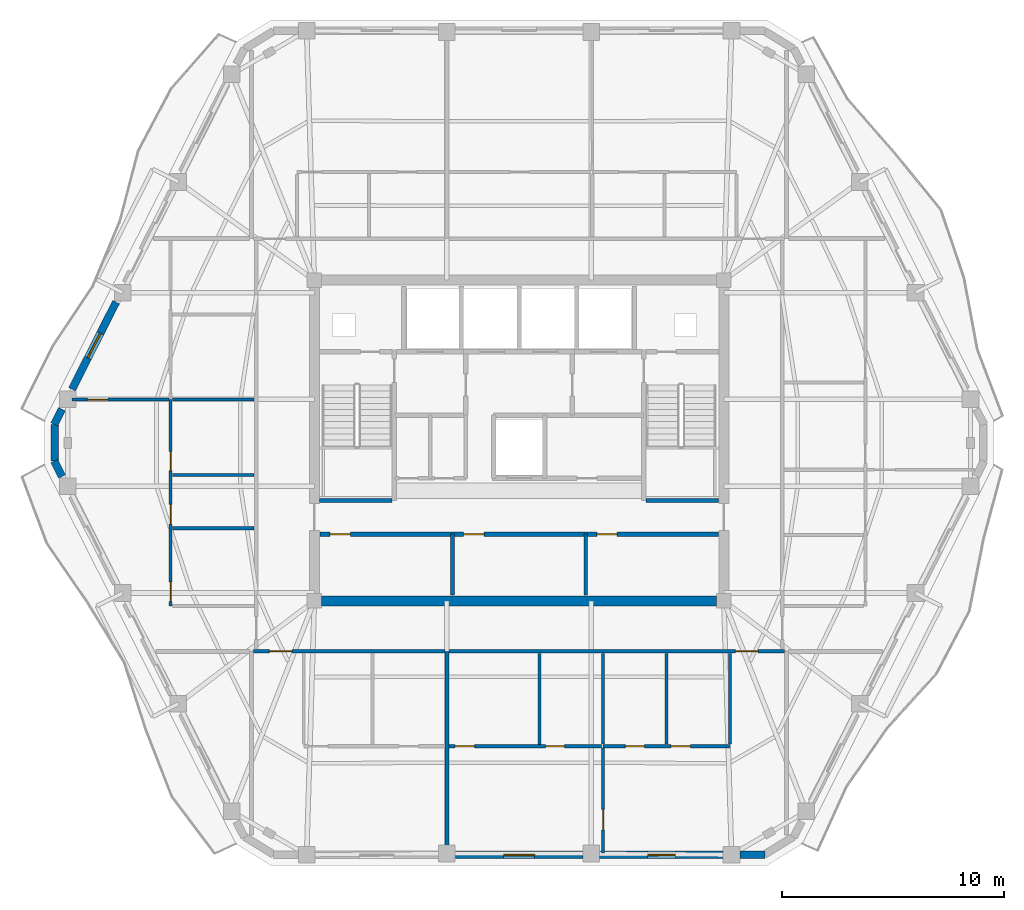
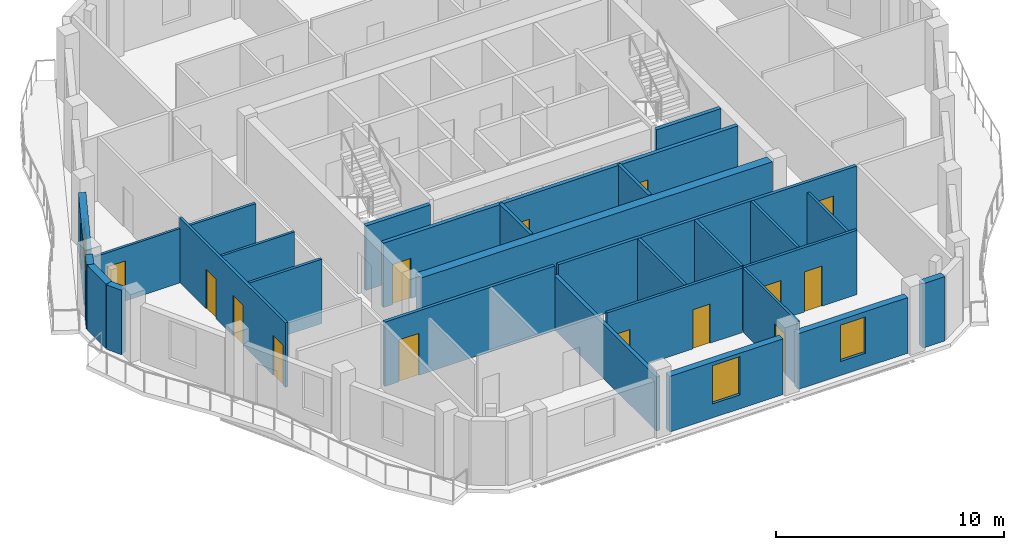
# One storey, part 4 of 12: 28 walls, 14 doors, 3 windows, 17 openings.
"""IFC4 building model written with IfcOpenShell, lengths in metres."""

from ifc_helpers import new_model, si_unit, direction, frame, frame_2d, origin, place, context, subcontext, project, spatial, rectangle, extrude, material, layer, layer_set, type_object, element, fill, save


model = new_model("IFC4")

# Units and contexts
model_context = context("Model", 3, precision=1e-05, world=origin(), true_north=direction((0.0, 1.0)))
body_context = subcontext(model_context, "Body", "Model", "MODEL_VIEW")
ifc_project = project(units=[si_unit("LENGTHUNIT", "METRE"), si_unit("AREAUNIT", "SQUARE_METRE"), si_unit("VOLUMEUNIT", "CUBIC_METRE"), si_unit("PLANEANGLEUNIT", "RADIAN"), si_unit("MASSUNIT", "GRAM", prefix="KILO")], contexts=[model_context])

# Site, building, storey
site_placement = place(None, origin())
site = spatial("IfcSite", under=ifc_project, at=site_placement, CompositionType="ELEMENT")
building_placement = place(site_placement, origin())
building = spatial("IfcBuilding", under=site, at=building_placement, Name="Cinnabar Lancet Tower", CompositionType="ELEMENT")
storey_placement = place(building_placement, frame((0.0, 0.0, 237.949951171875)))
storey = spatial("IfcBuildingStorey", under=building, at=storey_placement, Name="L63", CompositionType="ELEMENT", Elevation=237.949951171875)

# Walls
ifc_material_1 = material(Name="Acoustic twin-stud gypsum partition", Category="gypsum")
ifc_layer_1 = layer(ifc_material_1, 0.159912109375)
ifc_layer_set_1 = layer_set([ifc_layer_1], Name="Acoustic twin-stud gypsum partition")
wall_type_1 = type_object("IfcWallType", Name="ARC-WL-CORR-160", PredefinedType="PARTITIONING", material=ifc_layer_set_1)
for number, where, z_axis, x_axis, name in (
    (1, (29.39990234375, 18.949951171875, 0.0), (0.0, 0.0, 1.0), (0.0, 1.0, 0.0), "CW-SB-2940-L63"),
    (2, (35.39990234375, 18.949951171875, 0.0), (0.0, 0.0, 1.0), (0.0, 1.0, 0.0), "CW-SB-3540-L63"),
):
    element("IfcWall", number, at=place(storey_placement, frame(where, z_axis=z_axis, x_axis=x_axis)), inside=storey, type_object=wall_type_1, Name=name, PredefinedType="PARTITIONING", context=body_context, shape_type="SweptSolid", body=[
        extrude(rectangle(XDim=2.72998046875, YDim=0.159912109375, at=frame_2d((1.364990234375, 0.0))), origin(), (0.0, 0.0, 1.0), 3.449951171875),
    ])

# Wall, opening, door
wall_1_placement = place(storey_placement, frame((20.445068359375, 16.39990234375, 0.0), z_axis=(0.0, 0.0, 1.0), x_axis=(1.0, 0.0, 0.0)))
wall_1 = element("IfcWall", 3, at=wall_1_placement, inside=storey, type_object=wall_type_1, Name="L63 Unit S01 Corridor Wall", PredefinedType="PARTITIONING", context=body_context, shape_type="SweptSolid", body=[
    extrude(rectangle(XDim=8.60595703125, YDim=0.159912109375, at=frame_2d((4.302978515625, 0.0))), origin(), (0.0, 0.0, 1.0), 3.449951171875),
])
opening_1_placement = place(wall_1_placement, frame((0.705078125, 0.0, 0.0)))
opening_1 = element("IfcOpeningElement", 4, at=opening_1_placement, cuts=wall_1, Name="Opening UD-01", PredefinedType="OPENING", context=body_context, shape_type="SweptSolid", body=[
    extrude(rectangle(XDim=1.02001953125, YDim=2.25, at=frame_2d((0.510009765625, 1.125))), frame((0.0, 0.08984375, 0.0), z_axis=(0.0, -1.0, 0.0), x_axis=(1.0, 0.0, 0.0)), (0.0, 0.0, 1.0), 0.179931640625),
])
ifc_material_2 = material(Name="Solid timber fire-rated apartment entrance door", Category="wood")
door_type_1 = type_object("IfcDoorType", Name="ARC-DR-UNIT", OperationType="NOTDEFINED", PredefinedType="DOOR", material=ifc_material_2)
door_1_placement = place(opening_1_placement, origin())
door_1 = element("IfcDoor", 5, at=door_1_placement, inside=storey, type_object=door_type_1, Name="DR-L63-S01-ENT", OperationType="SINGLE_SWING_LEFT", OverallHeight=2.25, OverallWidth=1.02001953125, PredefinedType="DOOR", context=body_context, shape_type="SweptSolid", body=[
    extrude(rectangle(XDim=1.02001953125, YDim=2.25, at=frame_2d((0.510009765625, 1.125))), frame((0.0, 0.02490234375, 0.0), z_axis=(0.0, -1.0, 0.0), x_axis=(1.0, 0.0, 0.0)), (0.0, 0.0, 1.0), 0.050048828125),
])
fill(opening_1, door_1)

wall_2_placement = place(storey_placement, frame((29.240966796875, 16.39990234375, 0.0), z_axis=(0.0, 0.0, 1.0), x_axis=(1.0, 0.0, 0.0)))
wall_2 = element("IfcWall", 6, at=wall_2_placement, inside=storey, type_object=wall_type_1, Name="L63 Unit S02 Corridor Wall", PredefinedType="PARTITIONING", context=body_context, shape_type="SweptSolid", body=[
    extrude(rectangle(XDim=15.114013671875, YDim=0.159912109375, at=frame_2d((7.55712890625, 0.0))), origin(), (0.0, 0.0, 1.0), 3.449951171875),
])
opening_2_placement = place(wall_2_placement, frame((12.908935546875, 0.0, 0.0)))
opening_2 = element("IfcOpeningElement", 7, at=opening_2_placement, cuts=wall_2, Name="Opening UD-01", PredefinedType="OPENING", context=body_context, shape_type="SweptSolid", body=[
    extrude(rectangle(XDim=1.02001953125, YDim=2.25, at=frame_2d((0.510009765625, 1.125))), frame((0.0, 0.08984375, 0.0), z_axis=(0.0, -1.0, 0.0), x_axis=(1.0, 0.0, 0.0)), (0.0, 0.0, 1.0), 0.179931640625),
])
door_2_placement = place(opening_2_placement, origin())
door_2 = element("IfcDoor", 8, at=door_2_placement, inside=storey, type_object=door_type_1, Name="DR-L63-S02-ENT", OperationType="SINGLE_SWING_RIGHT", OverallHeight=2.25, OverallWidth=1.02001953125, PredefinedType="DOOR", context=body_context, shape_type="SweptSolid", body=[
    extrude(rectangle(XDim=1.02001953125, YDim=2.25, at=frame_2d((0.510009765625, 1.125))), frame((0.0, 0.02490234375, 0.0), z_axis=(0.0, -1.0, 0.0), x_axis=(1.0, 0.0, 0.0)), (0.0, 0.0, 1.0), 0.050048828125),
])
fill(opening_2, door_2)

# Walls
ifc_material_3 = material(Name="Fire-rated twin-frame acoustic drywall", Category="gypsum")
ifc_layer_2 = layer(ifc_material_3, 0.179931640625)
ifc_layer_set_2 = layer_set([ifc_layer_2], Name="Fire-rated twin-frame acoustic drywall")
wall_type_2 = type_object("IfcWallType", Name="ARC-WL-PARTY-180", PredefinedType="PARTITIONING", material=ifc_layer_set_2)
wall_3_placement = place(storey_placement, frame((29.14599609375, 7.405029296875, 0.0), z_axis=(0.0, 0.0, 1.0), x_axis=(0.0, 1.0, 0.0)))
element("IfcWall", 9, at=wall_3_placement, inside=storey, type_object=wall_type_2, Name="PW-L63-SPTY-291", PredefinedType="PARTITIONING", context=body_context, shape_type="SweptSolid", body=[
    extrude(rectangle(XDim=8.994873046875, YDim=0.179931640625, at=frame_2d((4.49755859375, 0.0))), origin(), (0.0, 0.0, 1.0), 2.906982421875),
])
ifc_material_4 = material(Name="Autoclaved aerated concrete blockwork", Category="masonry")
ifc_layer_3 = layer(ifc_material_4, 0.199951171875)
ifc_layer_set_3 = layer_set([ifc_layer_3], Name="Autoclaved aerated concrete blockwork")
wall_type_3 = type_object("IfcWallType", Name="ARC-WL-SHAFT-200", PredefinedType="PLUMBINGWALL", material=ifc_layer_set_3)
for number, where, z_axis, x_axis, name in (
    (10, (23.405029296875, 23.199951171875, 0.0), (0.0, 0.0, 1.0), (1.0, 0.0, 0.0), "CW-ST1S-L63"),
    (11, (38.125, 23.199951171875, 0.0), (0.0, 0.0, 1.0), (1.0, 0.0, 0.0), "CW-ST2S-L63"),
):
    element("IfcWall", number, at=place(storey_placement, frame(where, z_axis=z_axis, x_axis=x_axis)), inside=storey, type_object=wall_type_3, Name=name, PredefinedType="PLUMBINGWALL", context=body_context, shape_type="SweptSolid", body=[
        extrude(rectangle(XDim=3.27001953125, YDim=0.199951171875, at=frame_2d((1.635009765625, 0.0))), origin(), (0.0, 0.0, 1.0), 3.449951171875),
    ])

# Wall, openings, doors
wall_4_placement = place(storey_placement, frame((23.419921875, 21.679931640625, 0.0), z_axis=(0.0, 0.0, 1.0), x_axis=(1.0, 0.0, 0.0)))
wall_4 = element("IfcWall", 12, at=wall_4_placement, inside=storey, type_object=wall_type_3, Name="CW-SBANDN-L63", PredefinedType="PLUMBINGWALL", context=body_context, shape_type="SweptSolid", body=[
    extrude(rectangle(XDim=17.9599609375, YDim=0.199951171875, at=frame_2d((8.97998046875, 0.0))), origin(), (0.0, 0.0, 1.0), 3.449951171875),
])
opening_3_placement = place(wall_4_placement, frame((0.4599609375, 0.0, 0.0)))
opening_3 = element("IfcOpeningElement", 13, at=opening_3_placement, cuts=wall_4, Name="Opening RD-01", PredefinedType="OPENING", context=body_context, shape_type="SweptSolid", body=[
    extrude(rectangle(XDim=0.919921875, YDim=2.14990234375, at=frame_2d((0.4599609375, 1.074951171875))), frame((0.0, 0.10986328125, 0.0), z_axis=(0.0, -1.0, 0.0), x_axis=(1.0, 0.0, 0.0)), (0.0, 0.0, 1.0), 0.219970703125),
])
opening_4_placement = place(wall_4_placement, frame((6.47998046875, 0.0, 0.0)))
opening_4 = element("IfcOpeningElement", 14, at=opening_4_placement, cuts=wall_4, Name="Opening RD-01", PredefinedType="OPENING", context=body_context, shape_type="SweptSolid", body=[
    extrude(rectangle(XDim=0.919921875, YDim=2.14990234375, at=frame_2d((0.4599609375, 1.074951171875))), frame((0.0, 0.10986328125, 0.0), z_axis=(0.0, -1.0, 0.0), x_axis=(1.0, 0.0, 0.0)), (0.0, 0.0, 1.0), 0.219970703125),
])
opening_5_placement = place(wall_4_placement, frame((12.47998046875, 0.0, 0.0)))
opening_5 = element("IfcOpeningElement", 15, at=opening_5_placement, cuts=wall_4, Name="Opening RD-01", PredefinedType="OPENING", context=body_context, shape_type="SweptSolid", body=[
    extrude(rectangle(XDim=0.919921875, YDim=2.14990234375, at=frame_2d((0.4599609375, 1.074951171875))), frame((0.0, 0.10986328125, 0.0), z_axis=(0.0, -1.0, 0.0), x_axis=(1.0, 0.0, 0.0)), (0.0, 0.0, 1.0), 0.219970703125),
])
ifc_material_5 = material(Name="Engineered timber bedroom door", Category="wood")
door_type_2 = type_object("IfcDoorType", Name="ARC-DR-ROOM", OperationType="NOTDEFINED", PredefinedType="DOOR", material=ifc_material_5)
door_3_placement = place(opening_3_placement, origin())
door_3 = element("IfcDoor", 16, at=door_3_placement, inside=storey, type_object=door_type_2, Name="DR-L63-HREC1", OperationType="SINGLE_SWING_LEFT", OverallHeight=2.14990234375, OverallWidth=0.919921875, PredefinedType="DOOR", context=body_context, shape_type="SweptSolid", body=[
    extrude(rectangle(XDim=0.919921875, YDim=2.14990234375, at=frame_2d((0.4599609375, 1.074951171875))), frame((0.0, 0.02490234375, 0.0), z_axis=(0.0, -1.0, 0.0), x_axis=(1.0, 0.0, 0.0)), (0.0, 0.0, 1.0), 0.050048828125),
])
fill(opening_3, door_3)
door_4_placement = place(opening_4_placement, origin())
door_4 = element("IfcDoor", 17, at=door_4_placement, inside=storey, type_object=door_type_2, Name="DR-L63-HREC2", OperationType="SINGLE_SWING_RIGHT", OverallHeight=2.14990234375, OverallWidth=0.919921875, PredefinedType="DOOR", context=body_context, shape_type="SweptSolid", body=[
    extrude(rectangle(XDim=0.919921875, YDim=2.14990234375, at=frame_2d((0.4599609375, 1.074951171875))), frame((0.0, 0.02490234375, 0.0), z_axis=(0.0, -1.0, 0.0), x_axis=(1.0, 0.0, 0.0)), (0.0, 0.0, 1.0), 0.050048828125),
])
fill(opening_4, door_4)
door_5_placement = place(opening_5_placement, origin())
door_5 = element("IfcDoor", 18, at=door_5_placement, inside=storey, type_object=door_type_2, Name="DR-L63-HREC3", OperationType="SINGLE_SWING_LEFT", OverallHeight=2.14990234375, OverallWidth=0.919921875, PredefinedType="DOOR", context=body_context, shape_type="SweptSolid", body=[
    extrude(rectangle(XDim=0.919921875, YDim=2.14990234375, at=frame_2d((0.4599609375, 1.074951171875))), frame((0.0, 0.02490234375, 0.0), z_axis=(0.0, -1.0, 0.0), x_axis=(1.0, 0.0, 0.0)), (0.0, 0.0, 1.0), 0.050048828125),
])
fill(opening_5, door_5)

# Wall
ifc_material_6 = material(Name="Gypsum plasterboard stud partition", Category="gypsum")
ifc_layer_4 = layer(ifc_material_6, 0.125)
ifc_layer_set_4 = layer_set([ifc_layer_4], Name="Gypsum plasterboard stud partition")
wall_type_4 = type_object("IfcWallType", Name="ARC-WL-UNIT-125", PredefinedType="PARTITIONING", material=ifc_layer_set_4)
wall_5_placement = place(storey_placement, frame((41.89990234375, 12.235107421875, 0.0), z_axis=(0.0, 0.0, 1.0), x_axis=(0.0, 1.0, 0.0)))
element("IfcWall", 19, at=wall_5_placement, inside=storey, type_object=wall_type_4, Name="UW-L63-S02-FOYW", PredefinedType="PARTITIONING", context=body_context, shape_type="SweptSolid", body=[
    extrude(rectangle(XDim=4.079833984375, YDim=0.125, at=frame_2d((2.0400390625, 0.0))), origin(), (0.0, 0.0, 1.0), 2.906982421875),
])

# Wall, opening, door
wall_6_placement = place(storey_placement, frame((36.18603515625, 7.31494140625, 0.0), z_axis=(0.0, 0.0, 1.0), x_axis=(0.0, 1.0, 0.0)))
wall_6 = element("IfcWall", 20, at=wall_6_placement, inside=storey, type_object=wall_type_4, Name="UW-L63-S02-MBW", PredefinedType="PARTITIONING", context=body_context, shape_type="SweptSolid", body=[
    extrude(rectangle(XDim=4.739990234375, YDim=0.125, at=frame_2d((2.3701171875, 0.0))), origin(), (0.0, 0.0, 1.0), 3.449951171875),
])
opening_6_placement = place(wall_6_placement, frame((1.050048828125, 0.0, 0.0)))
opening_6 = element("IfcOpeningElement", 21, at=opening_6_placement, cuts=wall_6, Name="Opening RD-01", PredefinedType="OPENING", context=body_context, shape_type="SweptSolid", body=[
    extrude(rectangle(XDim=0.919921875, YDim=2.14990234375, at=frame_2d((0.4599609375, 1.074951171875))), frame((0.0, 0.072509765625, 0.0), z_axis=(0.0, -1.0, 0.0), x_axis=(1.0, 0.0, 0.0)), (0.0, 0.0, 1.0), 0.14501953125),
])
door_6_placement = place(opening_6_placement, origin())
door_6 = element("IfcDoor", 22, at=door_6_placement, inside=storey, type_object=door_type_2, Name="DR-L63-S02-MBD", OperationType="SINGLE_SWING_LEFT", OverallHeight=2.14990234375, OverallWidth=0.919921875, PredefinedType="DOOR", context=body_context, shape_type="SweptSolid", body=[
    extrude(rectangle(XDim=0.919921875, YDim=2.14990234375, at=frame_2d((0.4599609375, 1.074951171875))), frame((0.0, 0.02490234375, 0.0), z_axis=(0.0, -1.0, 0.0), x_axis=(1.0, 0.0, 0.0)), (0.0, 0.0, 1.0), 0.050048828125),
])
fill(opening_6, door_6)

wall_7_placement = place(storey_placement, frame((12.2490234375, 27.74609375, 0.0), z_axis=(0.0, 0.0, 1.0), x_axis=(1.0, 0.0, 0.0)))
wall_7 = element("IfcWall", 23, at=wall_7_placement, inside=storey, type_object=wall_type_4, Name="UW-L63-W01-MBN", PredefinedType="PARTITIONING", context=body_context, shape_type="SweptSolid", body=[
    extrude(rectangle(XDim=4.3759765625, YDim=0.125, at=frame_2d((2.18798828125, 0.0))), origin(), (0.0, 0.0, 1.0), 2.906982421875),
])
opening_7_placement = place(wall_7_placement, frame((0.699951171875, 0.0, 0.0)))
opening_7 = element("IfcOpeningElement", 24, at=opening_7_placement, cuts=wall_7, Name="Opening RD-01", PredefinedType="OPENING", context=body_context, shape_type="SweptSolid", body=[
    extrude(rectangle(XDim=0.919921875, YDim=2.14990234375, at=frame_2d((0.4599609375, 1.074951171875))), frame((0.0, 0.072509765625, 0.0), z_axis=(0.0, -1.0, 0.0), x_axis=(1.0, 0.0, 0.0)), (0.0, 0.0, 1.0), 0.14501953125),
])
door_7_placement = place(opening_7_placement, origin())
door_7 = element("IfcDoor", 25, at=door_7_placement, inside=storey, type_object=door_type_2, Name="DR-L63-W01-MBD", OperationType="SINGLE_SWING_LEFT", OverallHeight=2.14990234375, OverallWidth=0.919921875, PredefinedType="DOOR", context=body_context, shape_type="SweptSolid", body=[
    extrude(rectangle(XDim=0.919921875, YDim=2.14990234375, at=frame_2d((0.4599609375, 1.074951171875))), frame((0.0, 0.02490234375, 0.0), z_axis=(0.0, -1.0, 0.0), x_axis=(1.0, 0.0, 0.0)), (0.0, 0.0, 1.0), 0.050048828125),
])
fill(opening_7, door_7)

# Wall
wall_8_placement = place(storey_placement, frame((16.784912109375, 24.345947265625, 0.0), z_axis=(0.0, 0.0, 1.0), x_axis=(1.0, 0.0, 0.0)))
element("IfcWall", 26, at=wall_8_placement, inside=storey, type_object=wall_type_4, Name="UW-L63-W01-UDV", PredefinedType="PARTITIONING", context=body_context, shape_type="SweptSolid", body=[
    extrude(rectangle(XDim=3.68017578125, YDim=0.125, at=frame_2d((1.840087890625, 0.0))), origin(), (0.0, 0.0, 1.0), 3.449951171875),
])

# Wall, openings, doors
ifc_material_7 = material(Name="Moisture-resistant cement-board plumbing wall", Category="masonry")
ifc_layer_5 = layer(ifc_material_7, 0.139892578125)
ifc_layer_set_5 = layer_set([ifc_layer_5], Name="Moisture-resistant cement-board plumbing wall")
wall_type_5 = type_object("IfcWallType", Name="ARC-WL-WET-140", PredefinedType="PLUMBINGWALL", material=ifc_layer_set_5)
wall_9_placement = place(storey_placement, frame((36.18603515625, 12.1298828125, 0.0), z_axis=(0.0, 0.0, 1.0), x_axis=(1.0, 0.0, 0.0)))
wall_9 = element("IfcWall", 27, at=wall_9_placement, inside=storey, type_object=wall_type_5, Name="UW-L63-S02-SPL", PredefinedType="PLUMBINGWALL", context=body_context, shape_type="SweptSolid", body=[
    extrude(rectangle(XDim=5.7138671875, YDim=0.139892578125, at=frame_2d((2.85693359375, 0.0))), origin(), (0.0, 0.0, 1.0), 3.449951171875),
])
opening_8_placement = place(wall_9_placement, frame((1.0029296875, 0.0, 0.0)))
opening_8 = element("IfcOpeningElement", 28, at=opening_8_placement, cuts=wall_9, Name="Opening BD-01", PredefinedType="OPENING", context=body_context, shape_type="SweptSolid", body=[
    extrude(rectangle(XDim=0.860107421875, YDim=2.10009765625, at=frame_2d((0.43017578125, 1.050048828125))), frame((0.0, 0.079833984375, 0.0), z_axis=(0.0, -1.0, 0.0), x_axis=(1.0, 0.0, 0.0)), (0.0, 0.0, 1.0), 0.159912109375),
])
opening_9_placement = place(wall_9_placement, frame((3.056884765625, 0.0, 0.0)))
opening_9 = element("IfcOpeningElement", 29, at=opening_9_placement, cuts=wall_9, Name="Opening RD-02", PredefinedType="OPENING", context=body_context, shape_type="SweptSolid", body=[
    extrude(rectangle(XDim=0.8798828125, YDim=2.14990234375, at=frame_2d((0.43994140625, 1.074951171875))), frame((0.0, 0.079833984375, 0.0), z_axis=(0.0, -1.0, 0.0), x_axis=(1.0, 0.0, 0.0)), (0.0, 0.0, 1.0), 0.159912109375),
])
ifc_material_8 = material(Name="Moisture-resistant timber bathroom door", Category="wood")
door_type_3 = type_object("IfcDoorType", Name="ARC-DR-BATH", OperationType="NOTDEFINED", PredefinedType="DOOR", material=ifc_material_8)
door_8_placement = place(opening_8_placement, origin())
door_8 = element("IfcDoor", 30, at=door_8_placement, inside=storey, type_object=door_type_3, Name="DR-L63-S02-BTH", OperationType="SINGLE_SWING_LEFT", OverallHeight=2.10009765625, OverallWidth=0.860107421875, PredefinedType="DOOR", context=body_context, shape_type="SweptSolid", body=[
    extrude(rectangle(XDim=0.860107421875, YDim=2.10009765625, at=frame_2d((0.43017578125, 1.050048828125))), frame((0.0, 0.02490234375, 0.0), z_axis=(0.0, -1.0, 0.0), x_axis=(1.0, 0.0, 0.0)), (0.0, 0.0, 1.0), 0.050048828125),
])
fill(opening_8, door_8)
ifc_material_9 = material(Name="Engineered timber study door", Category="wood")
door_type_4 = type_object("IfcDoorType", Name="ARC-DR-STUDY", OperationType="NOTDEFINED", PredefinedType="DOOR", material=ifc_material_9)
door_9_placement = place(opening_9_placement, origin())
door_9 = element("IfcDoor", 31, at=door_9_placement, inside=storey, type_object=door_type_4, Name="DR-L63-S02-KIT", OperationType="SINGLE_SWING_RIGHT", OverallHeight=2.14990234375, OverallWidth=0.8798828125, PredefinedType="DOOR", context=body_context, shape_type="SweptSolid", body=[
    extrude(rectangle(XDim=0.8798828125, YDim=2.14990234375, at=frame_2d((0.43994140625, 1.074951171875))), frame((0.0, 0.02490234375, 0.0), z_axis=(0.0, -1.0, 0.0), x_axis=(1.0, 0.0, 0.0)), (0.0, 0.0, 1.0), 0.050048828125),
])
fill(opening_9, door_9)

wall_10_placement = place(storey_placement, frame((29.240966796875, 12.1298828125, 0.0), z_axis=(0.0, 0.0, 1.0), x_axis=(1.0, 0.0, 0.0)))
wall_10 = element("IfcWall", 32, at=wall_10_placement, inside=storey, type_object=wall_type_5, Name="UW-L63-S02-SPM", PredefinedType="PLUMBINGWALL", context=body_context, shape_type="SweptSolid", body=[
    extrude(rectangle(XDim=6.8701171875, YDim=0.139892578125, at=frame_2d((3.43505859375, 0.0))), origin(), (0.0, 0.0, 1.0), 3.449951171875),
])
opening_10_placement = place(wall_10_placement, frame((0.280029296875, 0.0, 0.0)))
opening_10 = element("IfcOpeningElement", 33, at=opening_10_placement, cuts=wall_10, Name="Opening RD-02", PredefinedType="OPENING", context=body_context, shape_type="SweptSolid", body=[
    extrude(rectangle(XDim=0.8798828125, YDim=2.14990234375, at=frame_2d((0.43994140625, 1.074951171875))), frame((0.0, 0.079833984375, 0.0), z_axis=(0.0, -1.0, 0.0), x_axis=(1.0, 0.0, 0.0)), (0.0, 0.0, 1.0), 0.159912109375),
])
opening_11_placement = place(wall_10_placement, frame((4.35205078125, 0.0, 0.0)))
opening_11 = element("IfcOpeningElement", 34, at=opening_11_placement, cuts=wall_10, Name="Opening BD-01", PredefinedType="OPENING", context=body_context, shape_type="SweptSolid", body=[
    extrude(rectangle(XDim=0.860107421875, YDim=2.10009765625, at=frame_2d((0.43017578125, 1.050048828125))), frame((0.0, 0.079833984375, 0.0), z_axis=(0.0, -1.0, 0.0), x_axis=(1.0, 0.0, 0.0)), (0.0, 0.0, 1.0), 0.159912109375),
])
door_10_placement = place(opening_11_placement, origin())
door_10 = element("IfcDoor", 35, at=door_10_placement, inside=storey, type_object=door_type_3, Name="DR-L63-S02-ENS", OperationType="SINGLE_SWING_LEFT", OverallHeight=2.10009765625, OverallWidth=0.860107421875, PredefinedType="DOOR", context=body_context, shape_type="SweptSolid", body=[
    extrude(rectangle(XDim=0.860107421875, YDim=2.10009765625, at=frame_2d((0.43017578125, 1.050048828125))), frame((0.0, 0.02490234375, 0.0), z_axis=(0.0, -1.0, 0.0), x_axis=(1.0, 0.0, 0.0)), (0.0, 0.0, 1.0), 0.050048828125),
])
fill(opening_11, door_10)
door_11_placement = place(opening_10_placement, origin())
door_11 = element("IfcDoor", 36, at=door_11_placement, inside=storey, type_object=door_type_4, Name="DR-L63-S02-ENS-WDR", OperationType="SINGLE_SWING_RIGHT", OverallHeight=2.14990234375, OverallWidth=0.8798828125, PredefinedType="DOOR", context=body_context, shape_type="SweptSolid", body=[
    extrude(rectangle(XDim=0.8798828125, YDim=2.14990234375, at=frame_2d((0.43994140625, 1.074951171875))), frame((0.0, 0.02490234375, 0.0), z_axis=(0.0, -1.0, 0.0), x_axis=(1.0, 0.0, 0.0)), (0.0, 0.0, 1.0), 0.050048828125),
])
fill(opening_10, door_11)

# Walls
for number, where, z_axis, x_axis, name in (
    (37, (39.04296875, 12.235107421875, 0.0), (0.0, 0.0, 1.0), (0.0, 1.0, 0.0), "UW-L63-S02-KBD"),
    (38, (36.18603515625, 12.235107421875, 0.0), (0.0, 0.0, 1.0), (0.0, 1.0, 0.0), "UW-L63-S02-ENSW"),
):
    element("IfcWall", number, at=place(storey_placement, frame(where, z_axis=z_axis, x_axis=x_axis)), inside=storey, type_object=wall_type_5, Name=name, PredefinedType="PLUMBINGWALL", context=body_context, shape_type="SweptSolid", body=[
        extrude(rectangle(XDim=4.079833984375, YDim=0.139892578125, at=frame_2d((2.0400390625, 0.0))), origin(), (0.0, 0.0, 1.0), 3.449951171875),
    ])
wall_11_placement = place(storey_placement, frame((33.31298828125, 12.215087890625, 0.0), z_axis=(0.0, 0.0, 1.0), x_axis=(0.0, 1.0, 0.0)))
element("IfcWall", 39, at=wall_11_placement, inside=storey, type_object=wall_type_5, Name="UW-L63-S02-ENS-WDV", PredefinedType="PLUMBINGWALL", context=body_context, shape_type="SweptSolid", body=[
    extrude(rectangle(XDim=4.099853515625, YDim=0.139892578125, at=frame_2d((2.0498046875, 0.0))), origin(), (0.0, 0.0, 1.0), 3.449951171875),
])

# Wall, openings, doors
wall_12_placement = place(storey_placement, frame((16.699951171875, 18.449951171875, 0.0), z_axis=(0.0, 0.0, 1.0), x_axis=(0.0, 1.0, 0.0)))
wall_12 = element("IfcWall", 40, at=wall_12_placement, inside=storey, type_object=wall_type_5, Name="UW-L63-W01-SPL", PredefinedType="PLUMBINGWALL", context=body_context, shape_type="SweptSolid", body=[
    extrude(rectangle(XDim=9.296142578125, YDim=0.139892578125, at=frame_2d((4.64794921875, 0.0))), origin(), (0.0, 0.0, 1.0), 3.449951171875),
])
opening_12_placement = place(wall_12_placement, frame((0.199951171875, 0.0, 0.0)))
opening_12 = element("IfcOpeningElement", 41, at=opening_12_placement, cuts=wall_12, Name="Opening RD-02", PredefinedType="OPENING", context=body_context, shape_type="SweptSolid", body=[
    extrude(rectangle(XDim=0.8798828125, YDim=2.14990234375, at=frame_2d((0.43994140625, 1.074951171875))), frame((0.0, 0.079833984375, 0.0), z_axis=(0.0, -1.0, 0.0), x_axis=(1.0, 0.0, 0.0)), (0.0, 0.0, 1.0), 0.159912109375),
])
opening_13_placement = place(wall_12_placement, frame((3.699951171875, 0.0, 0.0)))
opening_13 = element("IfcOpeningElement", 42, at=opening_13_placement, cuts=wall_12, Name="Opening RD-02", PredefinedType="OPENING", context=body_context, shape_type="SweptSolid", body=[
    extrude(rectangle(XDim=0.8798828125, YDim=2.14990234375, at=frame_2d((0.43994140625, 1.074951171875))), frame((0.0, 0.079833984375, 0.0), z_axis=(0.0, -1.0, 0.0), x_axis=(1.0, 0.0, 0.0)), (0.0, 0.0, 1.0), 0.159912109375),
])
opening_14_placement = place(wall_12_placement, frame((6.095947265625, 0.0, 0.0)))
opening_14 = element("IfcOpeningElement", 43, at=opening_14_placement, cuts=wall_12, Name="Opening BD-01", PredefinedType="OPENING", context=body_context, shape_type="SweptSolid", body=[
    extrude(rectangle(XDim=0.860107421875, YDim=2.10009765625, at=frame_2d((0.43017578125, 1.050048828125))), frame((0.0, 0.079833984375, 0.0), z_axis=(0.0, -1.0, 0.0), x_axis=(1.0, 0.0, 0.0)), (0.0, 0.0, 1.0), 0.159912109375),
])
door_12_placement = place(opening_14_placement, origin())
door_12 = element("IfcDoor", 44, at=door_12_placement, inside=storey, type_object=door_type_3, Name="DR-L63-W01-BTH", OperationType="SINGLE_SWING_RIGHT", OverallHeight=2.10009765625, OverallWidth=0.860107421875, PredefinedType="DOOR", context=body_context, shape_type="SweptSolid", body=[
    extrude(rectangle(XDim=0.860107421875, YDim=2.10009765625, at=frame_2d((0.43017578125, 1.050048828125))), frame((0.0, 0.02490234375, 0.0), z_axis=(0.0, -1.0, 0.0), x_axis=(1.0, 0.0, 0.0)), (0.0, 0.0, 1.0), 0.050048828125),
])
fill(opening_14, door_12)
door_13_placement = place(opening_12_placement, origin())
door_13 = element("IfcDoor", 45, at=door_13_placement, inside=storey, type_object=door_type_4, Name="DR-L63-W01-KIT", OperationType="SINGLE_SWING_RIGHT", OverallHeight=2.14990234375, OverallWidth=0.8798828125, PredefinedType="DOOR", context=body_context, shape_type="SweptSolid", body=[
    extrude(rectangle(XDim=0.8798828125, YDim=2.14990234375, at=frame_2d((0.43994140625, 1.074951171875))), frame((0.0, 0.02490234375, 0.0), z_axis=(0.0, -1.0, 0.0), x_axis=(1.0, 0.0, 0.0)), (0.0, 0.0, 1.0), 0.050048828125),
])
fill(opening_12, door_13)
door_14_placement = place(opening_13_placement, origin())
door_14 = element("IfcDoor", 46, at=door_14_placement, inside=storey, type_object=door_type_4, Name="DR-L63-W01-UTL", OperationType="SINGLE_SWING_LEFT", OverallHeight=2.14990234375, OverallWidth=0.8798828125, PredefinedType="DOOR", context=body_context, shape_type="SweptSolid", body=[
    extrude(rectangle(XDim=0.8798828125, YDim=2.14990234375, at=frame_2d((0.43994140625, 1.074951171875))), frame((0.0, 0.02490234375, 0.0), z_axis=(0.0, -1.0, 0.0), x_axis=(1.0, 0.0, 0.0)), (0.0, 0.0, 1.0), 0.050048828125),
])
fill(opening_13, door_14)

# Walls
wall_13_placement = place(storey_placement, frame((16.784912109375, 27.74609375, 0.0), z_axis=(0.0, 0.0, 1.0), x_axis=(1.0, 0.0, 0.0)))
element("IfcWall", 47, at=wall_13_placement, inside=storey, type_object=wall_type_5, Name="UW-L63-W01-ENSN", PredefinedType="PLUMBINGWALL", context=body_context, shape_type="SweptSolid", body=[
    extrude(rectangle(XDim=3.68017578125, YDim=0.139892578125, at=frame_2d((1.840087890625, 0.0))), origin(), (0.0, 0.0, 1.0), 2.906982421875),
])
wall_14_placement = place(storey_placement, frame((16.784912109375, 21.949951171875, 0.0), z_axis=(0.0, 0.0, 1.0), x_axis=(1.0, 0.0, 0.0)))
element("IfcWall", 48, at=wall_14_placement, inside=storey, type_object=wall_type_5, Name="UW-L63-W01-KDV", PredefinedType="PLUMBINGWALL", context=body_context, shape_type="SweptSolid", body=[
    extrude(rectangle(XDim=3.68017578125, YDim=0.139892578125, at=frame_2d((1.840087890625, 0.0))), origin(), (0.0, 0.0, 1.0), 3.449951171875),
])
ifc_material_10 = material(Name="Cinnabar red clay brick", Category="masonry")
ifc_layer_6 = layer(ifc_material_10, 0.340087890625)
ifc_layer_set_6 = layer_set([ifc_layer_6], Name="Cinnabar red clay brick")
wall_type_6 = type_object("IfcWallType", Name="ENV-WL-BRK-RED-340", PredefinedType="STANDARD", material=ifc_layer_set_6)
wall_15_placement = place(storey_placement, frame((11.47705078125, 26.6201171875, 0.0), z_axis=(0.0, 0.0, 1.0), x_axis=(0.0, -1.0, 0.0)))
element("IfcWall", 49, at=wall_15_placement, inside=storey, type_object=wall_type_6, Name="L63 Chamfered Corner Brick Pier 6.1", PredefinedType="STANDARD", context=body_context, shape_type="SweptSolid", body=[
    extrude(rectangle(XDim=1.64013671875, YDim=0.340087890625, at=frame_2d((0.820068359375, 0.0))), origin(), (0.0, 0.0, 1.0), 3.449951171875),
])

# Wall, opening, window
wall_16_placement = place(storey_placement, frame((29.52490234375, 7.22998046875, 0.0), z_axis=(0.0, 0.0, 1.0), x_axis=(1.0, 0.0, 0.0)))
wall_16 = element("IfcWall", 50, at=wall_16_placement, inside=storey, type_object=wall_type_6, Name="L63 Face 1 Masonry Bay Wall 3", PredefinedType="STANDARD", context=body_context, shape_type="SweptSolid", body=[
    extrude(rectangle(XDim=5.75, YDim=0.340087890625, at=frame_2d((2.875, 0.0))), origin(), (0.0, 0.0, 1.0), 2.983154296875),
])
opening_15_placement = place(wall_16_placement, frame((2.175048828125, 0.0, 0.75)))
opening_15 = element("IfcOpeningElement", 51, at=opening_15_placement, cuts=wall_16, Name="Opening WN-02", PredefinedType="OPENING", context=body_context, shape_type="SweptSolid", body=[
    extrude(rectangle(XDim=1.39990234375, YDim=2.050048828125, at=frame_2d((0.699951171875, 1.02490234375))), frame((0.0, 0.179931640625, 0.0), z_axis=(0.0, -1.0, 0.0), x_axis=(1.0, 0.0, 0.0)), (0.0, 0.0, 1.0), 0.360107421875),
])
ifc_material_11 = material(Name="Thermally broken bronze-anodized aluminium low-E double glazing", Category="aluminium")
window_type_1 = type_object("IfcWindowType", Name="ENV-WN-LANCET-1400", PartitioningType="SINGLE_PANEL", PredefinedType="WINDOW", material=ifc_material_11)
window_1_placement = place(opening_15_placement, origin())
window_1 = element("IfcWindow", 52, at=window_1_placement, inside=storey, type_object=window_type_1, Name="L63 Face 1 Gothic Lancet Window 3", OverallHeight=2.050048828125, OverallWidth=1.39990234375, PartitioningType="SINGLE_PANEL", PredefinedType="WINDOW", context=body_context, shape_type="SweptSolid", body=[
    extrude(rectangle(XDim=1.39990234375, YDim=2.050048828125, at=frame_2d((0.699951171875, 1.02490234375))), frame((0.0, 0.030029296875, 0.0), z_axis=(0.0, -1.0, 0.0), x_axis=(1.0, 0.0, 0.0)), (0.0, 0.0, 1.0), 0.06005859375),
])
fill(opening_15, window_1)

wall_17_placement = place(storey_placement, frame((36.032958984375, 7.22998046875, 0.0), z_axis=(0.0, 0.0, 1.0), x_axis=(1.0, 0.0, 0.0)))
wall_17 = element("IfcWall", 53, at=wall_17_placement, inside=storey, type_object=wall_type_6, Name="L63 Face 1 Masonry Bay Wall 4", PredefinedType="STANDARD", context=body_context, shape_type="SweptSolid", body=[
    extrude(rectangle(XDim=5.56005859375, YDim=0.340087890625, at=frame_2d((2.780029296875, 0.0))), origin(), (0.0, 0.0, 1.0), 2.983154296875),
])
opening_16_placement = place(wall_17_placement, frame((2.155029296875, 0.0, 0.75)))
opening_16 = element("IfcOpeningElement", 54, at=opening_16_placement, cuts=wall_17, Name="Opening WN-03", PredefinedType="OPENING", context=body_context, shape_type="SweptSolid", body=[
    extrude(rectangle(XDim=1.25, YDim=1.949951171875, at=frame_2d((0.625, 0.97509765625))), frame((0.0, 0.179931640625, 0.0), z_axis=(0.0, -1.0, 0.0), x_axis=(1.0, 0.0, 0.0)), (0.0, 0.0, 1.0), 0.360107421875),
])
ifc_material_12 = material(Name="Thermally broken bronze-anodized aluminium low-E double glazing", Category="aluminium")
window_type_2 = type_object("IfcWindowType", Name="ENV-WN-LANCET-1250", PartitioningType="SINGLE_PANEL", PredefinedType="WINDOW", material=ifc_material_12)
window_2_placement = place(opening_16_placement, origin())
window_2 = element("IfcWindow", 55, at=window_2_placement, inside=storey, type_object=window_type_2, Name="L63 Face 1 Gothic Lancet Window 4", OverallHeight=1.949951171875, OverallWidth=1.25, PartitioningType="SINGLE_PANEL", PredefinedType="WINDOW", context=body_context, shape_type="SweptSolid", body=[
    extrude(rectangle(XDim=1.25, YDim=1.949951171875, at=frame_2d((0.625, 0.97509765625))), frame((0.0, 0.030029296875, 0.0), z_axis=(0.0, -1.0, 0.0), x_axis=(1.0, 0.0, 0.0)), (0.0, 0.0, 1.0), 0.06005859375),
])
fill(opening_16, window_2)

# Wall
wall_18_placement = place(storey_placement, frame((42.35107421875, 7.22998046875, 0.0), z_axis=(0.0, 0.0, 1.0), x_axis=(1.0, 0.0, 0.0)))
element("IfcWall", 56, at=wall_18_placement, inside=storey, type_object=wall_type_6, Name="L63 Face 1 Masonry Bay Wall 5", PredefinedType="STANDARD", context=body_context, shape_type="SweptSolid", body=[
    extrude(rectangle(XDim=1.123046875, YDim=0.340087890625, at=frame_2d((0.5615234375, 0.0))), origin(), (0.0, 0.0, 1.0), 3.449951171875),
])

# Wall, opening, window
wall_19_placement = place(storey_placement, frame((14.24609375, 32.14404296875, 0.0), z_axis=(0.0, 0.0, 1.0), x_axis=(-0.451285866323, -0.892379441077, 0.0)))
wall_19 = element("IfcWall", 57, at=wall_19_placement, inside=storey, type_object=wall_type_6, Name="L63 Face 5 Masonry Bay Wall 4", PredefinedType="STANDARD", context=body_context, shape_type="SweptSolid", body=[
    extrude(rectangle(XDim=4.407470703125, YDim=0.340087890625, at=frame_2d((2.20361328125, 0.0))), origin(), (0.0, 0.0, 1.0), 2.983154296875),
])
opening_17_placement = place(wall_19_placement, frame((1.5791015625, 0.0, 0.75)))
opening_17 = element("IfcOpeningElement", 58, at=opening_17_placement, cuts=wall_19, Name="Opening WN-03", PredefinedType="OPENING", context=body_context, shape_type="SweptSolid", body=[
    extrude(rectangle(XDim=1.25, YDim=1.949951171875, at=frame_2d((0.625, 0.97509765625))), frame((0.0, 0.179931640625, 0.0), z_axis=(0.0, -1.0, 0.0), x_axis=(1.0, 0.0, 0.0)), (0.0, 0.0, 1.0), 0.360107421875),
])
window_3_placement = place(opening_17_placement, origin())
window_3 = element("IfcWindow", 59, at=window_3_placement, inside=storey, type_object=window_type_2, Name="L63 Face 5 Gothic Lancet Window 4", OverallHeight=1.949951171875, OverallWidth=1.25, PartitioningType="SINGLE_PANEL", PredefinedType="WINDOW", context=body_context, shape_type="SweptSolid", body=[
    extrude(rectangle(XDim=1.25, YDim=1.949951171875, at=frame_2d((0.625, 0.97509765625))), frame((0.0, 0.030029296875, 0.0), z_axis=(0.0, -1.0, 0.0), x_axis=(1.0, 0.0, 0.0)), (0.0, 0.0, 1.0), 0.06005859375),
])
fill(opening_17, window_3)

# Walls
for number, where, z_axis, x_axis, name in (
    (60, (11.803955078125, 27.31591796875, 0.0), (0.0, 0.0, 1.0), (-0.45075284655, -0.892648795063, 0.0), "L63 Face 5 Masonry Bay Wall 5"),
    (61, (11.4560546875, 24.972900390625, 0.0), (0.0, 0.0, 1.0), (0.45075284655, -0.892648795063, 0.0), "L63 Face 6 Masonry Bay Wall 1"),
):
    element("IfcWall", number, at=place(storey_placement, frame(where, z_axis=z_axis, x_axis=x_axis)), inside=storey, type_object=wall_type_6, Name=name, PredefinedType="STANDARD", context=body_context, shape_type="SweptSolid", body=[
        extrude(rectangle(XDim=0.771728515625, YDim=0.340087890625, at=frame_2d((0.3857421875, 0.0))), origin(), (0.0, 0.0, 1.0), 3.449951171875),
    ])
ifc_material_13 = material(Name="Concrete C50/60", Category="concrete")
ifc_layer_7 = layer(ifc_material_13, 0.449951171875)
ifc_layer_set_7 = layer_set([ifc_layer_7], Name="Concrete C50/60")
wall_type_7 = type_object("IfcWallType", Name="STR-WL-CORE-450", PredefinedType="SHEAR", material=ifc_layer_set_7)
wall_20_placement = place(storey_placement, frame((23.5, 18.675048828125, 0.0), z_axis=(0.0, 0.0, 1.0), x_axis=(1.0, 0.0, 0.0)))
element("IfcWall", 62, at=wall_20_placement, inside=storey, type_object=wall_type_7, Name="L63 Core Shear Wall S", PredefinedType="SHEAR", context=body_context, shape_type="SweptSolid", body=[
    extrude(rectangle(XDim=17.800048828125, YDim=0.449951171875, at=frame_2d((8.89990234375, 0.0))), origin(), (0.0, 0.0, 1.0), 3.449951171875),
])

save(model, "model.ifc")
